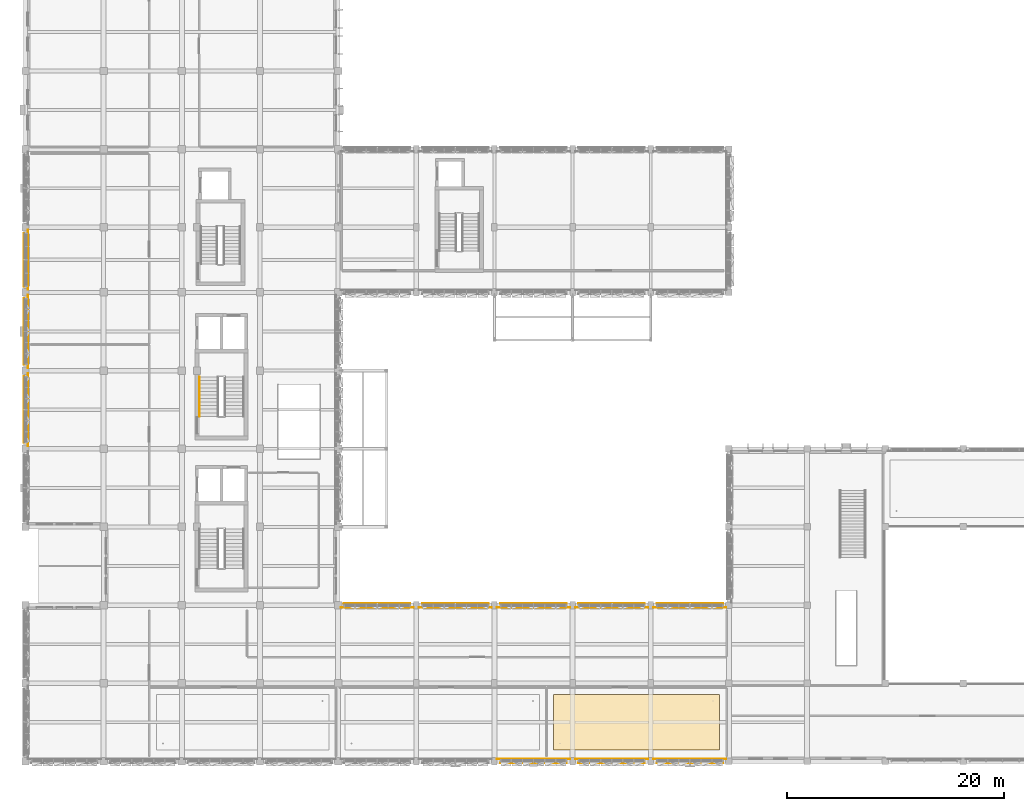
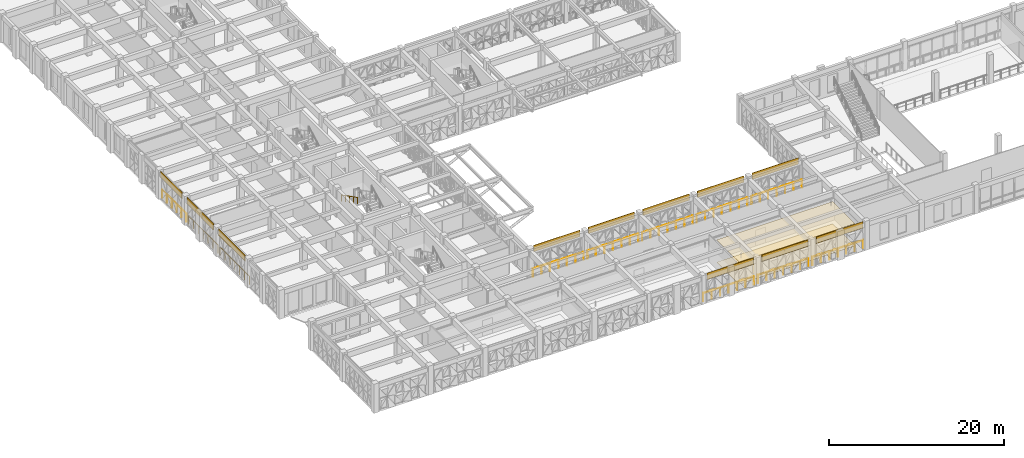
# One storey, part 71 of 88: 13 coverings, 12 railings.
"""IFC4 building model written with IfcOpenShell, lengths in metres."""

import ifcopenshell
import ifcopenshell.guid

model = None  # the IFC model being written
_history = None  # IfcOwnerHistory: only IFC2X3 demands one
_inside = {}  # id of a spatial element -> (the spatial element, [elements in it])
_under = {}  # id of a project, library or spatial element -> (it, [spatial elements below it])
_declared = {}  # id of a project -> (the project, [libraries it declares])
_typed = {}  # id of a type object -> (the type object, [elements of that type])
_made_of = {}  # id of a material, layer set ... -> (it, [elements and type objects made of it])


def new_model(schema):
    """Start an empty IFC model of exactly this schema.

    Asked for "IFC4X3", IfcOpenShell would pick the latest addendum, in which some entities
    have other attributes; the version numbers below select the first issue.
    IFC2X3 requires an IfcOwnerHistory on every rooted entity: one is made here for all.
    """
    global model, _history
    if schema == "IFC4X3":
        model = ifcopenshell.file(schema_version=(4, 3, 0, 0))
    else:
        model = ifcopenshell.file(schema=schema)
    _inside.clear()
    _under.clear()
    _declared.clear()
    _typed.clear()
    _made_of.clear()
    _history = None
    if model.schema == "IFC2X3":
        org = make("IfcOrganization", Name="unknown")
        user = make(
            "IfcPersonAndOrganization",
            ThePerson=make("IfcPerson", FamilyName="unknown"),
            TheOrganization=org,
        )
        app = make(
            "IfcApplication",
            ApplicationDeveloper=org,
            Version="unknown",
            ApplicationFullName="unknown",
            ApplicationIdentifier="unknown",
        )
        _history = make(
            "IfcOwnerHistory",
            OwningUser=user,
            OwningApplication=app,
            ChangeAction="ADDED",
            CreationDate=0,
        )
    return model


def make(cls, **values):
    """One entity of the class cls with the attributes given. An attribute that is None is left unset."""
    return model.create_entity(
        cls, **{name: value for name, value in values.items() if value is not None}
    )


def rooted(cls, **values):
    """An entity with a GlobalId (a new one), such as an element, a storey or a relation."""
    return make(cls, GlobalId=ifcopenshell.guid.new(), OwnerHistory=_history, **values)


def si_unit(unit_type, name, prefix=None):
    """IfcSIUnit, for example si_unit("LENGTHUNIT", "METRE", prefix="MILLI")."""
    return make("IfcSIUnit", UnitType=unit_type, Prefix=prefix, Name=name)


def assignment(units):
    """IfcUnitAssignment: the units of a project."""
    return None if units is None else make("IfcUnitAssignment", Units=units)


def point(xyz):
    """IfcCartesianPoint."""
    return None if xyz is None else make("IfcCartesianPoint", Coordinates=xyz)


def direction(xyz):
    """IfcDirection."""
    return None if xyz is None else make("IfcDirection", DirectionRatios=xyz)


def frame(location, z_axis=None, x_axis=None):
    """IfcAxis2Placement3D, a coordinate frame: its origin and axes. An axis left out is left unset."""
    return make(
        "IfcAxis2Placement3D",
        Location=point(location),
        Axis=direction(z_axis),
        RefDirection=direction(x_axis),
    )


def frame_2d(location, x_axis=None):
    """IfcAxis2Placement2D, a coordinate frame in the plane: its origin and x axis."""
    return make(
        "IfcAxis2Placement2D", Location=point(location), RefDirection=direction(x_axis)
    )


def origin():
    """The frame at (0, 0, 0) with its axes left unset."""
    return frame((0.0, 0.0, 0.0))


def origin_2d():
    """The frame at (0, 0) in the plane with its x axis left unset."""
    return frame_2d((0.0, 0.0))


def place(relative_to, where):
    """IfcLocalPlacement: puts the frame where relative to a parent placement (None: the world)."""
    return make(
        "IfcLocalPlacement", PlacementRelTo=relative_to, RelativePlacement=where
    )


def context(
    kind, dimensions, precision=None, world=None, true_north=None, identifier=None
):
    """IfcGeometricRepresentationContext, for example the 3D "Model" context."""
    return make(
        "IfcGeometricRepresentationContext",
        ContextIdentifier=identifier,
        ContextType=kind,
        CoordinateSpaceDimension=dimensions,
        Precision=precision,
        WorldCoordinateSystem=world,
        TrueNorth=true_north,
    )


def subcontext(parent, identifier, kind, view, scale=None):
    """IfcGeometricRepresentationSubContext, for example "Body" below "Model"."""
    return make(
        "IfcGeometricRepresentationSubContext",
        ContextIdentifier=identifier,
        ContextType=kind,
        ParentContext=parent,
        TargetScale=scale,
        TargetView=view,
    )


def project(units=None, contexts=None):
    """IfcProject with its units and contexts."""
    return rooted(
        "IfcProject",
        Name="project",
        RepresentationContexts=contexts,
        UnitsInContext=assignment(units),
    )


def spatial(cls, under=None, at=None, **own):
    """A site, building, storey or space (cls), placed at a placement, below another one or the project."""
    s = rooted(cls, ObjectPlacement=at, **own)
    if under is not None:
        _under.setdefault(under.id(), (under, []))[1].append(s)
    return s


def polyline(points):
    """IfcPolyline through the points."""
    return make("IfcPolyline", Points=[point(p) for p in points])


def profile(cls, at=None, kind="AREA", **sizes):
    """A parametric profile (cls). Its sizes go by their IFC names, for example OverallWidth=200.0."""
    return make(cls, ProfileType=kind, Position=at, **sizes)


def circle(**sizes):
    """IfcCircleProfileDef."""
    return profile("IfcCircleProfileDef", **sizes)


def outline(outer, holes=None, kind="AREA"):
    """IfcArbitraryClosedProfileDef: a profile drawn as a closed curve; with holes, ...WithVoids."""
    if holes is None:
        return make("IfcArbitraryClosedProfileDef", ProfileType=kind, OuterCurve=outer)
    return make(
        "IfcArbitraryProfileDefWithVoids",
        ProfileType=kind,
        OuterCurve=outer,
        InnerCurves=holes,
    )


def extrude(swept, where, along, depth):
    """IfcExtrudedAreaSolid: the profile swept, set in the frame where, extruded along a direction by depth."""
    return make(
        "IfcExtrudedAreaSolid",
        SweptArea=swept,
        Position=where,
        ExtrudedDirection=direction(along),
        Depth=depth,
    )


def shape(context_of_items, identifier, shape_type, items):
    """IfcShapeRepresentation: the items that make up one representation, for example the "Body"."""
    return make(
        "IfcShapeRepresentation",
        ContextOfItems=context_of_items,
        RepresentationIdentifier=identifier,
        RepresentationType=shape_type,
        Items=items,
    )


def material(Name=None, Category=None):
    """IfcMaterial."""
    return make("IfcMaterial", Name=Name, Category=Category)


def layer(
    of_material, thickness, ventilated=None, Name=None, Category=None, Priority=None
):
    """IfcMaterialLayer: one layer of a wall or slab, of a material (None: an air gap)."""
    return make(
        "IfcMaterialLayer",
        Material=of_material,
        LayerThickness=thickness,
        IsVentilated=ventilated,
        Name=Name,
        Category=Category,
        Priority=Priority,
    )


def layer_set(layers, Name=None):
    """IfcMaterialLayerSet."""
    return make("IfcMaterialLayerSet", MaterialLayers=layers, LayerSetName=Name)


def made_of(thing, what):
    """Note that an element or type object is made of a material, layer set ...; save() writes the relation."""
    if what is not None:
        _made_of.setdefault(what.id(), (what, []))[1].append(thing)
    return thing


def type_object(cls, material=None, **own):
    """A type object (cls), such as IfcWallType, which elements share."""
    return made_of(rooted(cls, **own), material)


def element(
    cls,
    number,
    at=None,
    inside=None,
    cuts=None,
    type_object=None,
    material=None,
    context=None,
    identifier="Body",
    shape_type=None,
    held_by="IfcProductDefinitionShape",
    body=None,
    shapes=None,
    **own,
):
    """One element of the class cls, such as IfcWall. Its Tag is "e" and its number.

    at: its placement. inside: the storey or other place that contains it. cuts: it is an
    opening in that element (IfcRelVoidsElement). A single representation is given by context,
    identifier, shape_type and body (its items); several are given by shapes. held_by: the class
    of the entity that holds the representations. save() writes the other relations.
    """
    e = rooted(cls, Tag="e%d" % number, ObjectPlacement=at, **own)
    if body is not None:
        shapes = [shape(context, identifier, shape_type, body)]
    if shapes is not None:
        e.Representation = make(held_by, Representations=shapes)
    if inside is not None:
        _inside.setdefault(inside.id(), (inside, []))[1].append(e)
    if cuts is not None:
        rooted(
            "IfcRelVoidsElement", RelatingBuildingElement=cuts, RelatedOpeningElement=e
        )
    if type_object is not None:
        _typed.setdefault(type_object.id(), (type_object, []))[1].append(e)
    return made_of(e, material)


def aggregate(whole, parts):
    """IfcRelAggregates: a whole, such as a stair, and the parts it consists of."""
    return rooted("IfcRelAggregates", RelatingObject=whole, RelatedObjects=parts)


def save(model, path):
    """Write the relations noted so far, then the file.

    IfcRelAggregates (storeys below a building ...), IfcRelContainedInSpatialStructure (elements
    in a storey), IfcRelDefinesByType, IfcRelAssociatesMaterial and IfcRelDeclares: one each for
    every whole, place, type object, material and project.
    """
    for whole, parts in _under.values():
        aggregate(whole, parts)
    for where, things in _inside.values():
        rooted(
            "IfcRelContainedInSpatialStructure",
            RelatedElements=things,
            RelatingStructure=where,
        )
    for kind, things in _typed.values():
        rooted("IfcRelDefinesByType", RelatedObjects=things, RelatingType=kind)
    for what, things in _made_of.values():
        rooted("IfcRelAssociatesMaterial", RelatedObjects=things, RelatingMaterial=what)
    for by, libraries in _declared.values():
        rooted("IfcRelDeclares", RelatingContext=by, RelatedDefinitions=libraries)
    model.write(path)


model = new_model("IFC4")

# Units and contexts
model_context = context("Model", 3, precision=1e-05, world=origin(), true_north=direction((0.0, 1.0)))
body_context = subcontext(model_context, "Body", "Model", "MODEL_VIEW")
ifc_project = project(units=[si_unit("LENGTHUNIT", "METRE"), si_unit("AREAUNIT", "SQUARE_METRE"), si_unit("VOLUMEUNIT", "CUBIC_METRE"), si_unit("PLANEANGLEUNIT", "RADIAN"), si_unit("MASSUNIT", "GRAM", prefix="KILO")], contexts=[model_context])

# Site, building, storey
site_placement = place(None, origin())
site = spatial("IfcSite", under=ifc_project, at=site_placement, CompositionType="ELEMENT")
building_placement = place(site_placement, origin())
building = spatial("IfcBuilding", under=site, at=building_placement, Name="Alvorim Cloister Faculty of Sciences", CompositionType="ELEMENT")
storey_placement = place(building_placement, frame((0.0, 0.0, 4.5)))
storey = spatial("IfcBuildingStorey", under=building, at=storey_placement, Name="L01", CompositionType="ELEMENT", Elevation=4.5)

# Coverings
ifc_material_1 = material(Name="Perforated Timber Acoustic Ceiling", Category="wood")
ifc_layer_1 = layer(ifc_material_1, 0.030029296875)
ifc_layer_set_1 = layer_set([ifc_layer_1], Name="Perforated Timber Acoustic Ceiling")
covering_type_1 = type_object("IfcCoveringType", Name="COV-CEIL-ACOUSTIC", PredefinedType="CEILING", material=ifc_layer_set_1)
covering_1_placement = place(storey_placement, frame((0.0, 0.0, 3.110107421875)))
element("IfcCovering", 1, at=covering_1_placement, inside=storey, type_object=covering_type_1, Name="Active Learning Studio 104 Acoustic Ceiling", PredefinedType="CEILING", context=body_context, shape_type="SweptSolid", body=[
    extrude(outline(polyline([(48.64990234375, 1.050048828125), (63.949951171875, 1.050048828125), (63.949951171875, 6.14990234375), (48.64990234375, 6.14990234375), (48.64990234375, 1.050048828125)])), origin(), (0.0, 0.0, 1.0), 0.02978515625),
])
ifc_material_2 = material(Name="Anodised Aluminium Alloy 6063-T6", Category="aluminium")
ifc_layer_2 = layer(ifc_material_2, 0.031982421875)
ifc_layer_set_2 = layer_set([ifc_layer_2], Name="Anodised Aluminium Alloy 6063-T6")
covering_type_2 = type_object("IfcCoveringType", Name="COV-FAC-CAS", PredefinedType="CLADDING", material=ifc_layer_set_2)
for number, where, z_axis, x_axis, name in (
    (2, (-0.14990234375, 29.340087890625, 3.14990234375), (0.0, 0.0, 1.0), (0.0, 1.0, 0.0), "L01 Shifted Bar Slab-Edge Architectural Fascia"),
    (3, (-0.14990234375, 36.5400390625, 3.14990234375), (0.0, 0.0, 1.0), (0.0, 1.0, 0.0), "L01 Shifted Bar Slab-Edge Architectural Fascia"),
):
    element("IfcCovering", number, at=place(storey_placement, frame(where, z_axis=z_axis, x_axis=x_axis)), inside=storey, type_object=covering_type_2, Name=name, PredefinedType="CLADDING", context=body_context, shape_type="SweptSolid", body=[
        extrude(outline(polyline([(0.0, 0.0), (6.1201171875, 0.0), (6.1201171875, 0.89013671875), (0.0, 0.89013671875), (0.0, 0.0)])), frame((0.0, 0.0224609375, 0.0), z_axis=(0.0, -1.0, 0.0), x_axis=(1.0, 0.0, 0.0)), (0.0, 0.0, 1.0), 0.044921875),
    ])
covering_2_placement = place(storey_placement, frame((-0.14990234375, 43.739990234375, 3.14990234375), z_axis=(0.0, 0.0, 1.0), x_axis=(0.0, 1.0, 0.0)))
element("IfcCovering", 4, at=covering_2_placement, inside=storey, type_object=covering_type_2, Name="L01 Shifted Bar Slab-Edge Architectural Fascia", PredefinedType="CLADDING", context=body_context, shape_type="SweptSolid", body=[
    extrude(outline(polyline([(0.0, 0.0), (4.919921875, 0.0), (4.919921875, 0.89013671875), (0.0, 0.89013671875), (0.0, 0.0)])), frame((0.0, 0.0224609375, 0.0), z_axis=(0.0, -1.0, 0.0), x_axis=(1.0, 0.0, 0.0)), (0.0, 0.0, 1.0), 0.044921875),
])
for number, where, z_axis, x_axis, name in (
    (5, (29.340087890625, 14.550048828125, 3.14990234375), (0.0, 0.0, 1.0), (1.0, 0.0, 0.0), "L01 Shifted Bar Slab-Edge Architectural Fascia"),
    (6, (36.5400390625, 14.550048828125, 3.14990234375), (0.0, 0.0, 1.0), (1.0, 0.0, 0.0), "L01 Shifted Bar Slab-Edge Architectural Fascia"),
    (7, (43.739990234375, 14.550048828125, 3.14990234375), (0.0, 0.0, 1.0), (1.0, 0.0, 0.0), "L01 Shifted Bar Slab-Edge Architectural Fascia"),
    (8, (50.93994140625, 14.550048828125, 3.14990234375), (0.0, 0.0, 1.0), (1.0, 0.0, 0.0), "L01 Shifted Bar Slab-Edge Architectural Fascia"),
    (9, (58.139892578125, 14.550048828125, 3.14990234375), (0.0, 0.0, 1.0), (1.0, 0.0, 0.0), "L01 Shifted Bar Slab-Edge Architectural Fascia"),
    (10, (58.139892578125, -0.14990234375, 3.14990234375), (0.0, 0.0, 1.0), (1.0, 0.0, 0.0), "L01 Shifted Bar Slab-Edge Architectural Fascia"),
    (11, (50.93994140625, -0.14990234375, 3.14990234375), (0.0, 0.0, 1.0), (1.0, 0.0, 0.0), "L01 Shifted Bar Slab-Edge Architectural Fascia"),
    (12, (43.739990234375, -0.14990234375, 3.14990234375), (0.0, 0.0, 1.0), (1.0, 0.0, 0.0), "L01 Shifted Bar Slab-Edge Architectural Fascia"),
):
    element("IfcCovering", number, at=place(storey_placement, frame(where, z_axis=z_axis, x_axis=x_axis)), inside=storey, type_object=covering_type_2, Name=name, PredefinedType="CLADDING", context=body_context, shape_type="SweptSolid", body=[
        extrude(outline(polyline([(0.0, 0.0), (6.1201171875, 0.0), (6.1201171875, 0.89013671875), (0.0, 0.89013671875), (0.0, 0.0)])), frame((0.0, 0.0224609375, 0.0), z_axis=(0.0, -1.0, 0.0), x_axis=(1.0, 0.0, 0.0)), (0.0, 0.0, 1.0), 0.044921875),
    ])
ifc_material_3 = material(Name="Polished Mineral Terrazzo", Category="concrete")
ifc_layer_3 = layer(ifc_material_3, 0.030029296875)
ifc_layer_set_3 = layer_set([ifc_layer_3], Name="Polished Mineral Terrazzo")
covering_type_3 = type_object("IfcCoveringType", Name="COV-FLR-TERRAZZO", PredefinedType="FLOORING", material=ifc_layer_set_3)
covering_3_placement = place(storey_placement, origin())
element("IfcCovering", 13, at=covering_3_placement, inside=storey, type_object=covering_type_3, Name="Active Learning Studio 104 Floor Finish", PredefinedType="FLOORING", context=body_context, shape_type="SweptSolid", body=[
    extrude(outline(polyline([(48.64990234375, 1.050048828125), (63.949951171875, 1.050048828125), (63.949951171875, 6.14990234375), (48.64990234375, 6.14990234375), (48.64990234375, 1.050048828125)])), origin(), (0.0, 0.0, 1.0), 0.030029296875),
])

# Railings
ifc_material_4 = material(Name="Laminated Safety Glass and Bronze", Category="glass")
railing_type_1 = type_object("IfcRailingType", Name="RL-ATR-BAL-1150", PredefinedType="BALUSTRADE", material=ifc_material_4)
for number, where, name in (
    (14, (0.219970703125, 29.050048828125, 0.0), "L01 Curtain Wall Sill Guard BL-02"),
    (15, (0.219970703125, 36.25, 0.0), "L01 Curtain Wall Sill Guard BL-03"),
):
    element("IfcRailing", number, at=place(storey_placement, frame(where)), inside=storey, type_object=railing_type_1, Name=name, PredefinedType="BALUSTRADE", context=body_context, shape_type="SweptSolid", body=[
        extrude(circle(Radius=0.02392578125, at=origin_2d()), frame((0.0, 0.0, 1.1259765625), z_axis=(0.0, 1.0, 0.0), x_axis=(-1.0, 0.0, 0.0)), (0.0, 0.0, 1.0), 6.699951171875),
        extrude(circle(Radius=0.02099609375, at=origin_2d()), origin(), (0.0, 0.0, 1.0), 1.101806640625),
        extrude(circle(Radius=0.02099609375, at=origin_2d()), frame((0.0, 1.11669921875, 0.0)), (0.0, 0.0, 1.0), 1.101806640625),
        extrude(circle(Radius=0.02099609375, at=origin_2d()), frame((0.0, 2.2333984375, 0.0)), (0.0, 0.0, 1.0), 1.101806640625),
        extrude(circle(Radius=0.02099609375, at=origin_2d()), frame((0.0, 3.35009765625, 0.0)), (0.0, 0.0, 1.0), 1.101806640625),
        extrude(circle(Radius=0.02099609375, at=origin_2d()), frame((0.0, 4.466552734375, 0.0)), (0.0, 0.0, 1.0), 1.101806640625),
        extrude(circle(Radius=0.02099609375, at=origin_2d()), frame((0.0, 5.583251953125, 0.0)), (0.0, 0.0, 1.0), 1.101806640625),
        extrude(circle(Radius=0.02099609375, at=origin_2d()), frame((0.0, 6.699951171875, 0.0)), (0.0, 0.0, 1.0), 1.101806640625),
    ])
railing_1_placement = place(storey_placement, frame((0.219970703125, 43.449951171875, 0.0)))
element("IfcRailing", 16, at=railing_1_placement, inside=storey, type_object=railing_type_1, Name="L01 Curtain Wall Sill Guard BL-04", PredefinedType="BALUSTRADE", context=body_context, shape_type="SweptSolid", body=[
    extrude(circle(Radius=0.02392578125, at=origin_2d()), frame((0.0, 0.0, 1.1259765625), z_axis=(0.0, 1.0, 0.0), x_axis=(-1.0, 0.0, 0.0)), (0.0, 0.0, 1.0), 5.5),
    extrude(circle(Radius=0.02099609375, at=origin_2d()), origin(), (0.0, 0.0, 1.0), 1.101806640625),
    extrude(circle(Radius=0.02099609375, at=origin_2d()), frame((0.0, 1.10009765625, 0.0)), (0.0, 0.0, 1.0), 1.101806640625),
    extrude(circle(Radius=0.02099609375, at=origin_2d()), frame((0.0, 2.199951171875, 0.0)), (0.0, 0.0, 1.0), 1.101806640625),
    extrude(circle(Radius=0.02099609375, at=origin_2d()), frame((0.0, 3.300048828125, 0.0)), (0.0, 0.0, 1.0), 1.101806640625),
    extrude(circle(Radius=0.02099609375, at=origin_2d()), frame((0.0, 4.39990234375, 0.0)), (0.0, 0.0, 1.0), 1.101806640625),
    extrude(circle(Radius=0.02099609375, at=origin_2d()), frame((0.0, 5.5, 0.0)), (0.0, 0.0, 1.0), 1.101806640625),
])
for number, where, name in (
    (17, (29.050048828125, 14.179931640625, 0.0), "L01 Curtain Wall Sill Guard BL-21"),
    (18, (36.25, 14.179931640625, 0.0), "L01 Curtain Wall Sill Guard BL-22"),
    (19, (43.449951171875, 14.179931640625, 0.0), "L01 Curtain Wall Sill Guard BL-23"),
):
    element("IfcRailing", number, at=place(storey_placement, frame(where)), inside=storey, type_object=railing_type_1, Name=name, PredefinedType="BALUSTRADE", context=body_context, shape_type="SweptSolid", body=[
        extrude(circle(Radius=0.02392578125, at=origin_2d()), frame((0.0, 0.0, 1.1259765625), z_axis=(1.0, 0.0, 0.0), x_axis=(0.0, 1.0, 0.0)), (0.0, 0.0, 1.0), 6.699951171875),
        extrude(circle(Radius=0.02099609375, at=origin_2d()), origin(), (0.0, 0.0, 1.0), 1.101806640625),
        extrude(circle(Radius=0.02099609375, at=origin_2d()), frame((1.11669921875, 0.0, 0.0)), (0.0, 0.0, 1.0), 1.101806640625),
        extrude(circle(Radius=0.02099609375, at=origin_2d()), frame((2.2333984375, 0.0, 0.0)), (0.0, 0.0, 1.0), 1.101806640625),
        extrude(circle(Radius=0.02099609375, at=origin_2d()), frame((3.35009765625, 0.0, 0.0)), (0.0, 0.0, 1.0), 1.101806640625),
        extrude(circle(Radius=0.02099609375, at=origin_2d()), frame((4.466552734375, 0.0, 0.0)), (0.0, 0.0, 1.0), 1.101806640625),
        extrude(circle(Radius=0.02099609375, at=origin_2d()), frame((5.583251953125, 0.0, 0.0)), (0.0, 0.0, 1.0), 1.101806640625),
        extrude(circle(Radius=0.02099609375, at=origin_2d()), frame((6.699951171875, 0.0, 0.0)), (0.0, 0.0, 1.0), 1.101806640625),
    ])
railing_2_placement = place(storey_placement, frame((50.64990234375, 14.179931640625, 0.0)))
element("IfcRailing", 20, at=railing_2_placement, inside=storey, type_object=railing_type_1, Name="L01 Curtain Wall Sill Guard BL-24", PredefinedType="BALUSTRADE", context=body_context, shape_type="SweptSolid", body=[
    extrude(circle(Radius=0.02392578125, at=origin_2d()), frame((0.0, 0.0, 1.1259765625), z_axis=(1.0, 0.0, 0.0), x_axis=(0.0, 1.0, 0.0)), (0.0, 0.0, 1.0), 6.7001953125),
    extrude(circle(Radius=0.02099609375, at=origin_2d()), origin(), (0.0, 0.0, 1.0), 1.101806640625),
    extrude(circle(Radius=0.02099609375, at=origin_2d()), frame((1.11669921875, 0.0, 0.0)), (0.0, 0.0, 1.0), 1.101806640625),
    extrude(circle(Radius=0.02099609375, at=origin_2d()), frame((2.2333984375, 0.0, 0.0)), (0.0, 0.0, 1.0), 1.101806640625),
    extrude(circle(Radius=0.02099609375, at=origin_2d()), frame((3.35009765625, 0.0, 0.0)), (0.0, 0.0, 1.0), 1.101806640625),
    extrude(circle(Radius=0.02099609375, at=origin_2d()), frame((4.466796875, 0.0, 0.0)), (0.0, 0.0, 1.0), 1.101806640625),
    extrude(circle(Radius=0.02099609375, at=origin_2d()), frame((5.58349609375, 0.0, 0.0)), (0.0, 0.0, 1.0), 1.101806640625),
    extrude(circle(Radius=0.02099609375, at=origin_2d()), frame((6.7001953125, 0.0, 0.0)), (0.0, 0.0, 1.0), 1.101806640625),
])
for number, where, name in (
    (21, (57.85009765625, 14.179931640625, 0.0), "L01 Curtain Wall Sill Guard BL-25"),
    (22, (57.85009765625, 0.219970703125, 0.0), "L01 Curtain Wall Sill Guard BL-34"),
):
    element("IfcRailing", number, at=place(storey_placement, frame(where)), inside=storey, type_object=railing_type_1, Name=name, PredefinedType="BALUSTRADE", context=body_context, shape_type="SweptSolid", body=[
        extrude(circle(Radius=0.02392578125, at=origin_2d()), frame((0.0, 0.0, 1.1259765625), z_axis=(1.0, 0.0, 0.0), x_axis=(0.0, 1.0, 0.0)), (0.0, 0.0, 1.0), 6.699951171875),
        extrude(circle(Radius=0.02099609375, at=origin_2d()), origin(), (0.0, 0.0, 1.0), 1.101806640625),
        extrude(circle(Radius=0.02099609375, at=origin_2d()), frame((1.11669921875, 0.0, 0.0)), (0.0, 0.0, 1.0), 1.101806640625),
        extrude(circle(Radius=0.02099609375, at=origin_2d()), frame((2.2333984375, 0.0, 0.0)), (0.0, 0.0, 1.0), 1.101806640625),
        extrude(circle(Radius=0.02099609375, at=origin_2d()), frame((3.35009765625, 0.0, 0.0)), (0.0, 0.0, 1.0), 1.101806640625),
        extrude(circle(Radius=0.02099609375, at=origin_2d()), frame((4.466552734375, 0.0, 0.0)), (0.0, 0.0, 1.0), 1.101806640625),
        extrude(circle(Radius=0.02099609375, at=origin_2d()), frame((5.583251953125, 0.0, 0.0)), (0.0, 0.0, 1.0), 1.101806640625),
        extrude(circle(Radius=0.02099609375, at=origin_2d()), frame((6.699951171875, 0.0, 0.0)), (0.0, 0.0, 1.0), 1.101806640625),
    ])
railing_3_placement = place(storey_placement, frame((50.64990234375, 0.219970703125, 0.0)))
element("IfcRailing", 23, at=railing_3_placement, inside=storey, type_object=railing_type_1, Name="L01 Curtain Wall Sill Guard BL-35", PredefinedType="BALUSTRADE", context=body_context, shape_type="SweptSolid", body=[
    extrude(circle(Radius=0.02392578125, at=origin_2d()), frame((0.0, 0.0, 1.1259765625), z_axis=(1.0, 0.0, 0.0), x_axis=(0.0, 1.0, 0.0)), (0.0, 0.0, 1.0), 6.7001953125),
    extrude(circle(Radius=0.02099609375, at=origin_2d()), origin(), (0.0, 0.0, 1.0), 1.101806640625),
    extrude(circle(Radius=0.02099609375, at=origin_2d()), frame((1.11669921875, 0.0, 0.0)), (0.0, 0.0, 1.0), 1.101806640625),
    extrude(circle(Radius=0.02099609375, at=origin_2d()), frame((2.2333984375, 0.0, 0.0)), (0.0, 0.0, 1.0), 1.101806640625),
    extrude(circle(Radius=0.02099609375, at=origin_2d()), frame((3.35009765625, 0.0, 0.0)), (0.0, 0.0, 1.0), 1.101806640625),
    extrude(circle(Radius=0.02099609375, at=origin_2d()), frame((4.466796875, 0.0, 0.0)), (0.0, 0.0, 1.0), 1.101806640625),
    extrude(circle(Radius=0.02099609375, at=origin_2d()), frame((5.58349609375, 0.0, 0.0)), (0.0, 0.0, 1.0), 1.101806640625),
    extrude(circle(Radius=0.02099609375, at=origin_2d()), frame((6.7001953125, 0.0, 0.0)), (0.0, 0.0, 1.0), 1.101806640625),
])
railing_4_placement = place(storey_placement, frame((43.449951171875, 0.219970703125, 0.0)))
element("IfcRailing", 24, at=railing_4_placement, inside=storey, type_object=railing_type_1, Name="L01 Curtain Wall Sill Guard BL-36", PredefinedType="BALUSTRADE", context=body_context, shape_type="SweptSolid", body=[
    extrude(circle(Radius=0.02392578125, at=origin_2d()), frame((0.0, 0.0, 1.1259765625), z_axis=(1.0, 0.0, 0.0), x_axis=(0.0, 1.0, 0.0)), (0.0, 0.0, 1.0), 6.699951171875),
    extrude(circle(Radius=0.02099609375, at=origin_2d()), origin(), (0.0, 0.0, 1.0), 1.101806640625),
    extrude(circle(Radius=0.02099609375, at=origin_2d()), frame((1.11669921875, 0.0, 0.0)), (0.0, 0.0, 1.0), 1.101806640625),
    extrude(circle(Radius=0.02099609375, at=origin_2d()), frame((2.2333984375, 0.0, 0.0)), (0.0, 0.0, 1.0), 1.101806640625),
    extrude(circle(Radius=0.02099609375, at=origin_2d()), frame((3.35009765625, 0.0, 0.0)), (0.0, 0.0, 1.0), 1.101806640625),
    extrude(circle(Radius=0.02099609375, at=origin_2d()), frame((4.466552734375, 0.0, 0.0)), (0.0, 0.0, 1.0), 1.101806640625),
    extrude(circle(Radius=0.02099609375, at=origin_2d()), frame((5.583251953125, 0.0, 0.0)), (0.0, 0.0, 1.0), 1.101806640625),
    extrude(circle(Radius=0.02099609375, at=origin_2d()), frame((6.699951171875, 0.0, 0.0)), (0.0, 0.0, 1.0), 1.101806640625),
])
ifc_material_5 = material(Name="Brushed Stainless Steel", Category="steel")
railing_type_2 = type_object("IfcRailingType", Name="RL-STR-HAND", PredefinedType="HANDRAIL", material=ifc_material_5)
railing_5_placement = place(storey_placement, frame((16.050048828125, 35.409912109375, 2.19384765625)))
element("IfcRailing", 25, at=railing_5_placement, inside=storey, type_object=railing_type_2, Name="L01 ST-02 stair handrail 2", PredefinedType="HANDRAIL", context=body_context, shape_type="SweptSolid", body=[
    extrude(circle(Radius=0.02392578125, at=origin_2d()), frame((0.0, 0.0, 0.8759765625), z_axis=(0.0, -0.890342447641, 0.455291473595), x_axis=(1.0, 0.0, 0.0)), (0.0, 0.0, 1.0), 4.076904296875),
    extrude(circle(Radius=0.02099609375, at=origin_2d()), origin(), (0.0, 0.0, 1.0), 0.851806640625),
    extrude(circle(Radius=0.02099609375, at=origin_2d()), frame((0.0, -0.907470703125, 0.464111328125)), (0.0, 0.0, 1.0), 0.851806640625),
    extrude(circle(Radius=0.02099609375, at=origin_2d()), frame((0.0, -1.81494140625, 0.92822265625)), (0.0, 0.0, 1.0), 0.851806640625),
    extrude(circle(Radius=0.02099609375, at=origin_2d()), frame((0.0, -2.722412109375, 1.39208984375)), (0.0, 0.0, 1.0), 0.851806640625),
    extrude(circle(Radius=0.02099609375, at=origin_2d()), frame((0.0, -3.6298828125, 1.856201171875)), (0.0, 0.0, 1.0), 0.851806640625),
])

save(model, "model.ifc")
